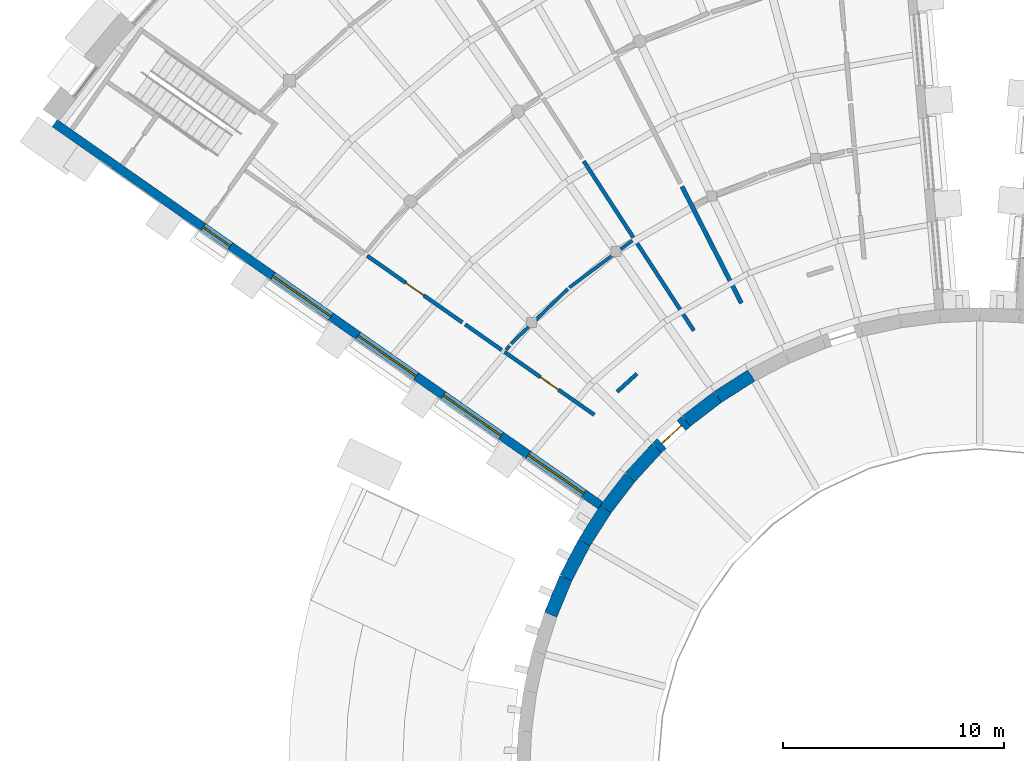
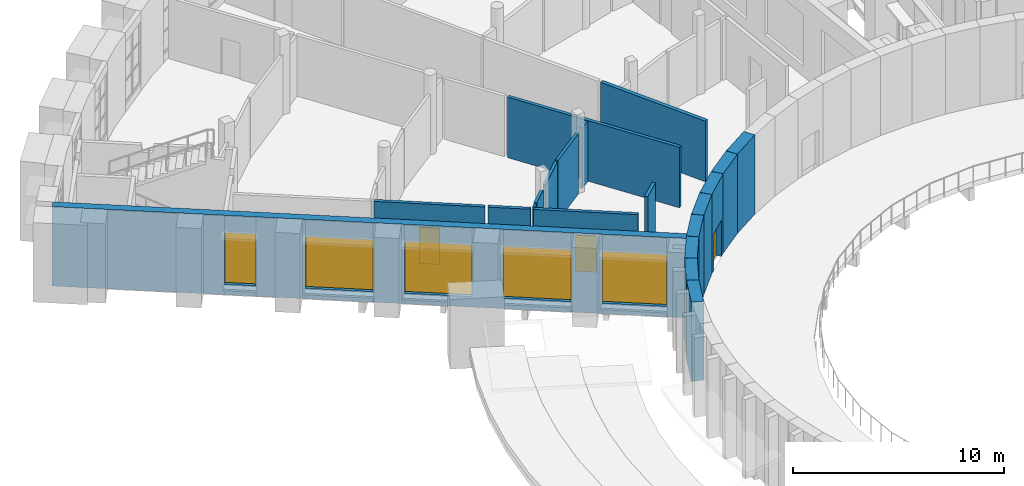
# One storey, part 26 of 50: 20 walls, 5 windows, 3 doors, 8 openings.
"""IFC4 building model written with IfcOpenShell, lengths in metres."""

import ifcopenshell
import ifcopenshell.guid

model = None  # the IFC model being written
_history = None  # IfcOwnerHistory: only IFC2X3 demands one
_inside = {}  # id of a spatial element -> (the spatial element, [elements in it])
_under = {}  # id of a project, library or spatial element -> (it, [spatial elements below it])
_declared = {}  # id of a project -> (the project, [libraries it declares])
_typed = {}  # id of a type object -> (the type object, [elements of that type])
_made_of = {}  # id of a material, layer set ... -> (it, [elements and type objects made of it])


def new_model(schema):
    """Start an empty IFC model of exactly this schema.

    Asked for "IFC4X3", IfcOpenShell would pick the latest addendum, in which some entities
    have other attributes; the version numbers below select the first issue.
    IFC2X3 requires an IfcOwnerHistory on every rooted entity: one is made here for all.
    """
    global model, _history
    if schema == "IFC4X3":
        model = ifcopenshell.file(schema_version=(4, 3, 0, 0))
    else:
        model = ifcopenshell.file(schema=schema)
    _inside.clear()
    _under.clear()
    _declared.clear()
    _typed.clear()
    _made_of.clear()
    _history = None
    if model.schema == "IFC2X3":
        org = make("IfcOrganization", Name="unknown")
        user = make(
            "IfcPersonAndOrganization",
            ThePerson=make("IfcPerson", FamilyName="unknown"),
            TheOrganization=org,
        )
        app = make(
            "IfcApplication",
            ApplicationDeveloper=org,
            Version="unknown",
            ApplicationFullName="unknown",
            ApplicationIdentifier="unknown",
        )
        _history = make(
            "IfcOwnerHistory",
            OwningUser=user,
            OwningApplication=app,
            ChangeAction="ADDED",
            CreationDate=0,
        )
    return model


def make(cls, **values):
    """One entity of the class cls with the attributes given. An attribute that is None is left unset."""
    return model.create_entity(
        cls, **{name: value for name, value in values.items() if value is not None}
    )


def rooted(cls, **values):
    """An entity with a GlobalId (a new one), such as an element, a storey or a relation."""
    return make(cls, GlobalId=ifcopenshell.guid.new(), OwnerHistory=_history, **values)


def si_unit(unit_type, name, prefix=None):
    """IfcSIUnit, for example si_unit("LENGTHUNIT", "METRE", prefix="MILLI")."""
    return make("IfcSIUnit", UnitType=unit_type, Prefix=prefix, Name=name)


def assignment(units):
    """IfcUnitAssignment: the units of a project."""
    return None if units is None else make("IfcUnitAssignment", Units=units)


def point(xyz):
    """IfcCartesianPoint."""
    return None if xyz is None else make("IfcCartesianPoint", Coordinates=xyz)


def direction(xyz):
    """IfcDirection."""
    return None if xyz is None else make("IfcDirection", DirectionRatios=xyz)


def frame(location, z_axis=None, x_axis=None):
    """IfcAxis2Placement3D, a coordinate frame: its origin and axes. An axis left out is left unset."""
    return make(
        "IfcAxis2Placement3D",
        Location=point(location),
        Axis=direction(z_axis),
        RefDirection=direction(x_axis),
    )


def frame_2d(location, x_axis=None):
    """IfcAxis2Placement2D, a coordinate frame in the plane: its origin and x axis."""
    return make(
        "IfcAxis2Placement2D", Location=point(location), RefDirection=direction(x_axis)
    )


def origin():
    """The frame at (0, 0, 0) with its axes left unset."""
    return frame((0.0, 0.0, 0.0))


def place(relative_to, where):
    """IfcLocalPlacement: puts the frame where relative to a parent placement (None: the world)."""
    return make(
        "IfcLocalPlacement", PlacementRelTo=relative_to, RelativePlacement=where
    )


def context(
    kind, dimensions, precision=None, world=None, true_north=None, identifier=None
):
    """IfcGeometricRepresentationContext, for example the 3D "Model" context."""
    return make(
        "IfcGeometricRepresentationContext",
        ContextIdentifier=identifier,
        ContextType=kind,
        CoordinateSpaceDimension=dimensions,
        Precision=precision,
        WorldCoordinateSystem=world,
        TrueNorth=true_north,
    )


def subcontext(parent, identifier, kind, view, scale=None):
    """IfcGeometricRepresentationSubContext, for example "Body" below "Model"."""
    return make(
        "IfcGeometricRepresentationSubContext",
        ContextIdentifier=identifier,
        ContextType=kind,
        ParentContext=parent,
        TargetScale=scale,
        TargetView=view,
    )


def project(units=None, contexts=None):
    """IfcProject with its units and contexts."""
    return rooted(
        "IfcProject",
        Name="project",
        RepresentationContexts=contexts,
        UnitsInContext=assignment(units),
    )


def spatial(cls, under=None, at=None, **own):
    """A site, building, storey or space (cls), placed at a placement, below another one or the project."""
    s = rooted(cls, ObjectPlacement=at, **own)
    if under is not None:
        _under.setdefault(under.id(), (under, []))[1].append(s)
    return s


def profile(cls, at=None, kind="AREA", **sizes):
    """A parametric profile (cls). Its sizes go by their IFC names, for example OverallWidth=200.0."""
    return make(cls, ProfileType=kind, Position=at, **sizes)


def rectangle(**sizes):
    """IfcRectangleProfileDef."""
    return profile("IfcRectangleProfileDef", **sizes)


def extrude(swept, where, along, depth):
    """IfcExtrudedAreaSolid: the profile swept, set in the frame where, extruded along a direction by depth."""
    return make(
        "IfcExtrudedAreaSolid",
        SweptArea=swept,
        Position=where,
        ExtrudedDirection=direction(along),
        Depth=depth,
    )


def shape(context_of_items, identifier, shape_type, items):
    """IfcShapeRepresentation: the items that make up one representation, for example the "Body"."""
    return make(
        "IfcShapeRepresentation",
        ContextOfItems=context_of_items,
        RepresentationIdentifier=identifier,
        RepresentationType=shape_type,
        Items=items,
    )


def material(Name=None, Category=None):
    """IfcMaterial."""
    return make("IfcMaterial", Name=Name, Category=Category)


def layer(
    of_material, thickness, ventilated=None, Name=None, Category=None, Priority=None
):
    """IfcMaterialLayer: one layer of a wall or slab, of a material (None: an air gap)."""
    return make(
        "IfcMaterialLayer",
        Material=of_material,
        LayerThickness=thickness,
        IsVentilated=ventilated,
        Name=Name,
        Category=Category,
        Priority=Priority,
    )


def layer_set(layers, Name=None):
    """IfcMaterialLayerSet."""
    return make("IfcMaterialLayerSet", MaterialLayers=layers, LayerSetName=Name)


def made_of(thing, what):
    """Note that an element or type object is made of a material, layer set ...; save() writes the relation."""
    if what is not None:
        _made_of.setdefault(what.id(), (what, []))[1].append(thing)
    return thing


def type_object(cls, material=None, **own):
    """A type object (cls), such as IfcWallType, which elements share."""
    return made_of(rooted(cls, **own), material)


def element(
    cls,
    number,
    at=None,
    inside=None,
    cuts=None,
    type_object=None,
    material=None,
    context=None,
    identifier="Body",
    shape_type=None,
    held_by="IfcProductDefinitionShape",
    body=None,
    shapes=None,
    **own,
):
    """One element of the class cls, such as IfcWall. Its Tag is "e" and its number.

    at: its placement. inside: the storey or other place that contains it. cuts: it is an
    opening in that element (IfcRelVoidsElement). A single representation is given by context,
    identifier, shape_type and body (its items); several are given by shapes. held_by: the class
    of the entity that holds the representations. save() writes the other relations.
    """
    e = rooted(cls, Tag="e%d" % number, ObjectPlacement=at, **own)
    if body is not None:
        shapes = [shape(context, identifier, shape_type, body)]
    if shapes is not None:
        e.Representation = make(held_by, Representations=shapes)
    if inside is not None:
        _inside.setdefault(inside.id(), (inside, []))[1].append(e)
    if cuts is not None:
        rooted(
            "IfcRelVoidsElement", RelatingBuildingElement=cuts, RelatedOpeningElement=e
        )
    if type_object is not None:
        _typed.setdefault(type_object.id(), (type_object, []))[1].append(e)
    return made_of(e, material)


def fill(opening, filler):
    """IfcRelFillsElement: the door or window that sits in an opening."""
    return rooted(
        "IfcRelFillsElement",
        RelatingOpeningElement=opening,
        RelatedBuildingElement=filler,
    )


def aggregate(whole, parts):
    """IfcRelAggregates: a whole, such as a stair, and the parts it consists of."""
    return rooted("IfcRelAggregates", RelatingObject=whole, RelatedObjects=parts)


def save(model, path):
    """Write the relations noted so far, then the file.

    IfcRelAggregates (storeys below a building ...), IfcRelContainedInSpatialStructure (elements
    in a storey), IfcRelDefinesByType, IfcRelAssociatesMaterial and IfcRelDeclares: one each for
    every whole, place, type object, material and project.
    """
    for whole, parts in _under.values():
        aggregate(whole, parts)
    for where, things in _inside.values():
        rooted(
            "IfcRelContainedInSpatialStructure",
            RelatedElements=things,
            RelatingStructure=where,
        )
    for kind, things in _typed.values():
        rooted("IfcRelDefinesByType", RelatedObjects=things, RelatingType=kind)
    for what, things in _made_of.values():
        rooted("IfcRelAssociatesMaterial", RelatedObjects=things, RelatingMaterial=what)
    for by, libraries in _declared.values():
        rooted("IfcRelDeclares", RelatingContext=by, RelatedDefinitions=libraries)
    model.write(path)


model = new_model("IFC4")

# Units and contexts
model_context = context("Model", 3, precision=1e-05, world=origin(), true_north=direction((0.0, 1.0)))
body_context = subcontext(model_context, "Body", "Model", "MODEL_VIEW")
ifc_project = project(units=[si_unit("LENGTHUNIT", "METRE"), si_unit("AREAUNIT", "SQUARE_METRE"), si_unit("VOLUMEUNIT", "CUBIC_METRE"), si_unit("PLANEANGLEUNIT", "RADIAN"), si_unit("MASSUNIT", "GRAM", prefix="KILO")], contexts=[model_context])

# Site, building, storey
site_placement = place(None, origin())
site = spatial("IfcSite", under=ifc_project, at=site_placement, CompositionType="ELEMENT")
building_placement = place(site_placement, origin())
building = spatial("IfcBuilding", under=site, at=building_placement, Name="Volute Hill Aquarium", CompositionType="ELEMENT")
storey_placement = place(building_placement, frame((0.0, 0.0, 9.199951171875)))
storey = spatial("IfcBuildingStorey", under=building, at=storey_placement, Name="L03", CompositionType="ELEMENT", Elevation=9.199951171875)

# Walls
ifc_material_1 = material(Name="Gypsum board on steel studs", Category="steel")
ifc_layer_1 = layer(ifc_material_1, 0.14990234375)
ifc_layer_set_1 = layer_set([ifc_layer_1], Name="Acoustic partition 150")
wall_type_1 = type_object("IfcWallType", Name="Acoustic partition 150", PredefinedType="PARTITIONING", material=ifc_layer_set_1)
wall_1_placement = place(storey_placement, frame((-18.60791015625, 21.916015625, 0.0), z_axis=(0.0, 0.0, 1.0), x_axis=(0.802120624252, 0.597162041786, 0.0)))
element("IfcWall", 1, at=wall_1_placement, inside=storey, type_object=wall_type_1, Name="pw/S6/L03/023", PredefinedType="PARTITIONING", context=body_context, shape_type="SweptSolid", body=[
    extrude(rectangle(XDim=2.439453125, YDim=0.14990234375, at=frame_2d((1.2197265625, 0.0))), origin(), (0.0, 0.0, 1.0), 3.510009765625),
])
wall_2_placement = place(storey_placement, frame((-20.12353515625, 20.452392578125, 0.0), z_axis=(0.0, 0.0, 1.0), x_axis=(0.719317397078, 0.694681568965, 0.0)))
element("IfcWall", 2, at=wall_2_placement, inside=storey, type_object=wall_type_1, Name="pw/S6/L03/027", PredefinedType="PARTITIONING", context=body_context, shape_type="SweptSolid", body=[
    extrude(rectangle(XDim=2.001708984375, YDim=0.14990234375, at=frame_2d((1.0009765625, 0.0))), origin(), (0.0, 0.0, 1.0), 3.510009765625),
])
wall_3_placement = place(storey_placement, frame((-21.253173828125, 19.361572265625, 0.0), z_axis=(0.0, 0.0, 1.0), x_axis=(0.719390021907, 0.69460636074, 0.0)))
element("IfcWall", 3, at=wall_3_placement, inside=storey, type_object=wall_type_1, Name="pw/S6/L03/042", PredefinedType="PARTITIONING", context=body_context, shape_type="SweptSolid", body=[
    extrude(rectangle(XDim=1.103271484375, YDim=0.14990234375, at=frame_2d((0.5517578125, 0.0))), origin(), (0.0, 0.0, 1.0), 3.510009765625),
])
wall_4_placement = place(storey_placement, frame((-16.27392578125, 23.653564453125, 0.0), z_axis=(0.0, 0.0, 1.0), x_axis=(0.802203924917, 0.597050134283, 0.0)))
element("IfcWall", 4, at=wall_4_placement, inside=storey, type_object=wall_type_1, Name="pw/S6/L03/045", PredefinedType="PARTITIONING", context=body_context, shape_type="SweptSolid", body=[
    extrude(rectangle(XDim=0.649658203125, YDim=0.14990234375, at=frame_2d((0.32470703125, 0.0))), origin(), (0.0, 0.0, 1.0), 3.510009765625),
])
wall_5_placement = place(storey_placement, frame((-21.4736328125, 19.085693359375, 0.0), z_axis=(0.0, 0.0, 1.0), x_axis=(0.62457509106, 0.78096475953, 0.0)))
element("IfcWall", 5, at=wall_5_placement, inside=storey, type_object=wall_type_1, Name="pw/S6/L03/048", PredefinedType="PARTITIONING", context=body_context, shape_type="SweptSolid", body=[
    extrude(rectangle(XDim=0.248291015625, YDim=0.14990234375, at=frame_2d((0.1240234375, 0.0))), origin(), (0.0, 0.0, 1.0), 3.510009765625),
])
ifc_material_2 = material(Name="Gypsum board on steel studs", Category="steel")
ifc_layer_2 = layer(ifc_material_2, 0.175048828125)
ifc_layer_set_2 = layer_set([ifc_layer_2], Name="Corridor partition 175 EI 60")
wall_type_2 = type_object("IfcWallType", Name="Corridor partition 175 EI 60", PredefinedType="PARTITIONING", material=ifc_layer_set_2)
wall_6_placement = place(storey_placement, frame((-12.96240234375, 19.96044921875, 0.0), z_axis=(0.0, 0.0, 1.0), x_axis=(-0.544645595922, 0.838666307206, 0.0)))
element("IfcWall", 6, at=wall_6_placement, inside=storey, type_object=wall_type_2, Name="pw/S6/L03/001", PredefinedType="PARTITIONING", context=body_context, shape_type="SweptSolid", body=[
    extrude(rectangle(XDim=9.16455078125, YDim=0.175048828125, at=frame_2d((4.582275390625, 0.0))), origin(), (0.0, 0.0, 1.0), 3.510009765625),
])

# Wall, opening, door
wall_7_placement = place(storey_placement, frame((-27.772705078125, 23.35302734375, 0.0), z_axis=(0.0, 0.0, 1.0), x_axis=(0.819151370893, -0.573577398059, 0.0)))
wall_7 = element("IfcWall", 7, at=wall_7_placement, inside=storey, type_object=wall_type_2, Name="pw/S6/L03/011", PredefinedType="PARTITIONING", context=body_context, shape_type="SweptSolid", body=[
    extrude(rectangle(XDim=5.26904296875, YDim=0.175048828125, at=frame_2d((2.634521484375, 0.0))), origin(), (0.0, 0.0, 1.0), 3.510009765625),
])
opening_1_placement = place(wall_7_placement, frame((2.134521484375, 0.0, 0.0)))
opening_1 = element("IfcOpeningElement", 8, at=opening_1_placement, cuts=wall_7, Name="Opening D6.03.05", PredefinedType="OPENING", context=body_context, shape_type="SweptSolid", body=[
    extrude(rectangle(XDim=1.0, YDim=2.10009765625, at=frame_2d((0.5, 1.050048828125))), frame((0.0, 0.097412109375, 0.0), z_axis=(0.0, -1.0, 0.0), x_axis=(1.0, 0.0, 0.0)), (0.0, 0.0, 1.0), 0.195068359375),
])
ifc_material_3 = material(Name="Timber, fire-rated", Category="wood")
door_type_1 = type_object("IfcDoorType", Name="Door 1000 x 2100 single EI1 30", OperationType="SINGLE_SWING_LEFT", PredefinedType="DOOR", material=ifc_material_3)
door_1_placement = place(opening_1_placement, origin())
door_1 = element("IfcDoor", 9, at=door_1_placement, inside=storey, type_object=door_type_1, Name="d/S6/L03/05", OperationType="SINGLE_SWING_LEFT", OverallHeight=2.10009765625, OverallWidth=1.0, PredefinedType="DOOR", context=body_context, shape_type="SweptSolid", body=[
    extrude(rectangle(XDim=1.0, YDim=2.10009765625, at=frame_2d((0.5, 1.050048828125))), frame((0.0, 0.02490234375, 0.0), z_axis=(0.0, -1.0, 0.0), x_axis=(1.0, 0.0, 0.0)), (0.0, 0.0, 1.0), 0.050048828125),
])
fill(opening_1, door_1)

wall_8_placement = place(storey_placement, frame((-21.547119140625, 18.993896484375, 0.0), z_axis=(0.0, 0.0, 1.0), x_axis=(0.819169654263, -0.57355128588, 0.0)))
wall_8 = element("IfcWall", 10, at=wall_8_placement, inside=storey, type_object=wall_type_2, Name="pw/S6/L03/013", PredefinedType="PARTITIONING", context=body_context, shape_type="SweptSolid", body=[
    extrude(rectangle(XDim=4.973876953125, YDim=0.175048828125, at=frame_2d((2.48681640625, 0.0))), origin(), (0.0, 0.0, 1.0), 3.510009765625),
])
opening_2_placement = place(wall_8_placement, frame((1.987060546875, 0.0, 0.0)))
opening_2 = element("IfcOpeningElement", 11, at=opening_2_placement, cuts=wall_8, Name="Opening D6.03.04", PredefinedType="OPENING", context=body_context, shape_type="SweptSolid", body=[
    extrude(rectangle(XDim=1.0, YDim=2.10009765625, at=frame_2d((0.5, 1.050048828125))), frame((0.0, 0.097412109375, 0.0), z_axis=(0.0, -1.0, 0.0), x_axis=(1.0, 0.0, 0.0)), (0.0, 0.0, 1.0), 0.195068359375),
])
door_2_placement = place(opening_2_placement, origin())
door_2 = element("IfcDoor", 12, at=door_2_placement, inside=storey, type_object=door_type_1, Name="d/S6/L03/04", OperationType="SINGLE_SWING_RIGHT", OverallHeight=2.10009765625, OverallWidth=1.0, PredefinedType="DOOR", context=body_context, shape_type="SweptSolid", body=[
    extrude(rectangle(XDim=1.0, YDim=2.10009765625, at=frame_2d((0.5, 1.050048828125))), frame((0.0, 0.02490234375, 0.0), z_axis=(0.0, -1.0, 0.0), x_axis=(1.0, 0.0, 0.0)), (0.0, 0.0, 1.0), 0.050048828125),
])
fill(opening_2, door_2)

# Walls
wall_9_placement = place(storey_placement, frame((-23.333740234375, 20.244873046875, 0.0), z_axis=(0.0, 0.0, 1.0), x_axis=(0.819164141, -0.573559160069, 0.0)))
element("IfcWall", 13, at=wall_9_placement, inside=storey, type_object=wall_type_2, Name="pw/S6/L03/025", PredefinedType="PARTITIONING", context=body_context, shape_type="SweptSolid", body=[
    extrude(rectangle(XDim=2.03076171875, YDim=0.175048828125, at=frame_2d((1.015380859375, 0.0))), origin(), (0.0, 0.0, 1.0), 3.510009765625),
])
wall_10_placement = place(storey_placement, frame((-16.438232421875, 17.187255859375, 0.0), z_axis=(0.0, 0.0, 1.0), x_axis=(0.737279656854, 0.675587675723, 0.0)))
element("IfcWall", 14, at=wall_10_placement, inside=storey, type_object=wall_type_2, Name="pw/S6/L03/039", PredefinedType="PARTITIONING", context=body_context, shape_type="SweptSolid", body=[
    extrude(rectangle(XDim=1.2109375, YDim=0.175048828125, at=frame_2d((0.60546875, 0.0))), origin(), (0.0, 0.0, 1.0), 3.510009765625),
])
ifc_material_4 = material(Name="Concrete C35/45", Category="concrete")
ifc_layer_3 = layer(ifc_material_4, 0.60009765625)
ifc_layer_set_3 = layer_set([ifc_layer_3], Name="Drum wall C35/45 600")
wall_type_3 = type_object("IfcWallType", Name="Drum wall C35/45 600", PredefinedType="SHEAR", material=ifc_layer_set_3)
wall_11_placement = place(storey_placement, frame((-10.35009765625, 17.9267578125, 0.0), z_axis=(0.0, 0.0, 1.0), x_axis=(-0.843332890803, -0.537391510251, 0.0)))
element("IfcWall", 15, at=wall_11_placement, inside=storey, type_object=wall_type_3, Name="sw/DR/L03/24", PredefinedType="SHEAR", context=body_context, shape_type="SweptSolid", body=[
    extrude(rectangle(XDim=1.805908203125, YDim=0.60009765625, at=frame_2d((0.90283203125, 0.0))), origin(), (0.0, 0.0, 1.0), 4.60009765625),
])
wall_12_placement = place(storey_placement, frame((-11.873046875, 16.956298828125, 0.0), z_axis=(0.0, 0.0, 1.0), x_axis=(-0.793397400526, -0.608704004289, 0.0)))
element("IfcWall", 16, at=wall_12_placement, inside=storey, type_object=wall_type_3, Name="sw/DR/L03/25", PredefinedType="SHEAR", context=body_context, shape_type="SweptSolid", body=[
    extrude(rectangle(XDim=1.8056640625, YDim=0.60009765625, at=frame_2d((0.90283203125, 0.0))), origin(), (0.0, 0.0, 1.0), 4.60009765625),
])

# Wall, opening, door
wall_13_placement = place(storey_placement, frame((-13.3056640625, 15.857177734375, 0.0), z_axis=(0.0, 0.0, 1.0), x_axis=(-0.737322466268, -0.675540954152, 0.0)))
wall_13 = element("IfcWall", 17, at=wall_13_placement, inside=storey, type_object=wall_type_3, Name="sw/DR/L03/26", PredefinedType="SHEAR", context=body_context, shape_type="SweptSolid", body=[
    extrude(rectangle(XDim=1.805908203125, YDim=0.60009765625, at=frame_2d((0.90283203125, 0.0))), origin(), (0.0, 0.0, 1.0), 4.60009765625),
])
opening_3_placement = place(wall_13_placement, frame((0.302978515625, 0.0, 0.0)))
opening_3 = element("IfcOpeningElement", 18, at=opening_3_placement, cuts=wall_13, Name="Opening D6.03.R2", PredefinedType="OPENING", context=body_context, shape_type="SweptSolid", body=[
    extrude(rectangle(XDim=1.199951171875, YDim=2.10009765625, at=frame_2d((0.60009765625, 1.050048828125))), frame((0.0, 0.31005859375, 0.0), z_axis=(0.0, -1.0, 0.0), x_axis=(1.0, 0.0, 0.0)), (0.0, 0.0, 1.0), 0.6201171875),
])
ifc_material_5 = material(Name="Timber", Category="wood")
door_type_2 = type_object("IfcDoorType", Name="Door 1200 x 2100 drum double", OperationType="DOUBLE_DOOR_SINGLE_SWING", PredefinedType="DOOR", material=ifc_material_5)
door_3_placement = place(opening_3_placement, origin())
door_3 = element("IfcDoor", 19, at=door_3_placement, inside=storey, type_object=door_type_2, Name="d/S6/L03/dr2", OperationType="SINGLE_SWING_LEFT", OverallHeight=2.10009765625, OverallWidth=1.199951171875, PredefinedType="DOOR", context=body_context, shape_type="SweptSolid", body=[
    extrude(rectangle(XDim=1.199951171875, YDim=2.10009765625, at=frame_2d((0.60009765625, 1.050048828125))), frame((0.0, 0.02490234375, 0.0), z_axis=(0.0, -1.0, 0.0), x_axis=(1.0, 0.0, 0.0)), (0.0, 0.0, 1.0), 0.050048828125),
])
fill(opening_3, door_3)

# Walls
wall_14_placement = place(storey_placement, frame((-14.63720703125, 14.63720703125, 0.0), z_axis=(0.0, 0.0, 1.0), x_axis=(-0.675540954152, -0.737322466268, 0.0)))
element("IfcWall", 20, at=wall_14_placement, inside=storey, type_object=wall_type_3, Name="sw/DR/L03/27", PredefinedType="SHEAR", context=body_context, shape_type="SweptSolid", body=[
    extrude(rectangle(XDim=1.805908203125, YDim=0.60009765625, at=frame_2d((0.90283203125, 0.0))), origin(), (0.0, 0.0, 1.0), 4.60009765625),
])
wall_15_placement = place(storey_placement, frame((-15.857177734375, 13.3056640625, 0.0), z_axis=(0.0, 0.0, 1.0), x_axis=(-0.608704004289, -0.793397400526, 0.0)))
element("IfcWall", 21, at=wall_15_placement, inside=storey, type_object=wall_type_3, Name="sw/DR/L03/28", PredefinedType="SHEAR", context=body_context, shape_type="SweptSolid", body=[
    extrude(rectangle(XDim=1.8056640625, YDim=0.60009765625, at=frame_2d((0.90283203125, 0.0))), origin(), (0.0, 0.0, 1.0), 4.60009765625),
])
for number, where, z_axis, x_axis, name in (
    (22, (-16.956298828125, 11.873046875, 0.0), (0.0, 0.0, 1.0), (-0.537391510251, -0.843332890803, 0.0), "sw/DR/L03/29"),
    (23, (-17.9267578125, 10.35009765625, 0.0), (0.0, 0.0, 1.0), (-0.461701764231, -0.887035219654, 0.0), "sw/DR/L03/30"),
    (24, (-18.760498046875, 8.748291015625, 0.0), (0.0, 0.0, 1.0), (-0.382713954298, -0.923866889322, 0.0), "sw/DR/L03/31"),
):
    element("IfcWall", number, at=place(storey_placement, frame(where, z_axis=z_axis, x_axis=x_axis)), inside=storey, type_object=wall_type_3, Name=name, PredefinedType="SHEAR", context=body_context, shape_type="SweptSolid", body=[
        extrude(rectangle(XDim=1.805908203125, YDim=0.60009765625, at=frame_2d((0.90283203125, 0.0))), origin(), (0.0, 0.0, 1.0), 4.60009765625),
    ])

# Wall, openings, windows
ifc_material_6 = material(Name="Concrete C35/45", Category="concrete")
ifc_layer_4 = layer(ifc_material_6, 0.39990234375)
ifc_layer_set_4 = layer_set([ifc_layer_4], Name="End wall 400 C35/45")
wall_type_4 = type_object("IfcWallType", Name="End wall 400 C35/45", PredefinedType="SHEAR", material=ifc_layer_set_4)
wall_16_placement = place(storey_placement, frame((-17.120361328125, 11.98779296875, 0.0), z_axis=(0.0, 0.0, 1.0), x_axis=(-0.81915166255, 0.57357698153, 0.0)))
wall_16 = element("IfcWall", 25, at=wall_16_placement, inside=storey, type_object=wall_type_4, Name="sw/S6/L03/endB", PredefinedType="SHEAR", context=body_context, shape_type="SweptSolid", body=[
    extrude(rectangle(XDim=30.300048828125, YDim=0.39990234375, at=frame_2d((15.14990234375, 0.0))), origin(), (0.0, 0.0, 1.0), 4.60009765625),
])
opening_4_placement = place(wall_16_placement, frame((1.02001953125, 0.0, 0.60009765625)))
opening_4 = element("IfcOpeningElement", 26, at=opening_4_placement, cuts=wall_16, Name="Opening W17", PredefinedType="OPENING", context=body_context, shape_type="SweptSolid", body=[
    extrude(rectangle(XDim=3.063232421875, YDim=3.0, at=frame_2d((1.53173828125, 1.5))), frame((0.0, 0.2099609375, 0.0), z_axis=(0.0, -1.0, 0.0), x_axis=(1.0, 0.0, 0.0)), (0.0, 0.0, 1.0), 0.419921875),
])
opening_5_placement = place(wall_16_placement, frame((5.583251953125, 0.0, 0.60009765625)))
opening_5 = element("IfcOpeningElement", 27, at=opening_5_placement, cuts=wall_16, Name="Opening W18", PredefinedType="OPENING", context=body_context, shape_type="SweptSolid", body=[
    extrude(rectangle(XDim=3.21337890625, YDim=3.0, at=frame_2d((1.606689453125, 1.5))), frame((0.0, 0.2099609375, 0.0), z_axis=(0.0, -1.0, 0.0), x_axis=(1.0, 0.0, 0.0)), (0.0, 0.0, 1.0), 0.419921875),
])
opening_6_placement = place(wall_16_placement, frame((10.296630859375, 0.0, 0.60009765625)))
opening_6 = element("IfcOpeningElement", 28, at=opening_6_placement, cuts=wall_16, Name="Opening W18", PredefinedType="OPENING", context=body_context, shape_type="SweptSolid", body=[
    extrude(rectangle(XDim=3.21337890625, YDim=3.0, at=frame_2d((1.606689453125, 1.5))), frame((0.0, 0.2099609375, 0.0), z_axis=(0.0, -1.0, 0.0), x_axis=(1.0, 0.0, 0.0)), (0.0, 0.0, 1.0), 0.419921875),
])
opening_7_placement = place(wall_16_placement, frame((15.010009765625, 0.0, 0.60009765625)))
opening_7 = element("IfcOpeningElement", 29, at=opening_7_placement, cuts=wall_16, Name="Opening W18", PredefinedType="OPENING", context=body_context, shape_type="SweptSolid", body=[
    extrude(rectangle(XDim=3.21337890625, YDim=3.0, at=frame_2d((1.606689453125, 1.5))), frame((0.0, 0.2099609375, 0.0), z_axis=(0.0, -1.0, 0.0), x_axis=(1.0, 0.0, 0.0)), (0.0, 0.0, 1.0), 0.419921875),
])
opening_8_placement = place(wall_16_placement, frame((20.580078125, 0.0, 0.60009765625)))
opening_8 = element("IfcOpeningElement", 30, at=opening_8_placement, cuts=wall_16, Name="Opening W19", PredefinedType="OPENING", context=body_context, shape_type="SweptSolid", body=[
    extrude(rectangle(XDim=1.5, YDim=3.0, at=frame_2d((0.75, 1.5))), frame((0.0, 0.2099609375, 0.0), z_axis=(0.0, -1.0, 0.0), x_axis=(1.0, 0.0, 0.0)), (0.0, 0.0, 1.0), 0.419921875),
])
ifc_material_7 = material(Name="Aluminium and glass", Category="aluminium")
window_type_1 = type_object("IfcWindowType", Name="End wall window 1500x3000", PartitioningType="SINGLE_PANEL", PredefinedType="WINDOW", material=ifc_material_7)
window_1_placement = place(opening_8_placement, origin())
window_1 = element("IfcWindow", 31, at=window_1_placement, inside=storey, type_object=window_type_1, Name="End wall window S6B L03 5.1", OverallHeight=3.0, OverallWidth=1.5, PartitioningType="SINGLE_PANEL", PredefinedType="WINDOW", context=body_context, shape_type="SweptSolid", body=[
    extrude(rectangle(XDim=1.5, YDim=3.0, at=frame_2d((0.75, 1.5))), frame((0.0, 0.030029296875, 0.0), z_axis=(0.0, -1.0, 0.0), x_axis=(1.0, 0.0, 0.0)), (0.0, 0.0, 1.0), 0.06005859375),
])
fill(opening_8, window_1)
ifc_material_8 = material(Name="Aluminium and glass", Category="aluminium")
window_type_2 = type_object("IfcWindowType", Name="End wall window 3063x3000", PartitioningType="SINGLE_PANEL", PredefinedType="WINDOW", material=ifc_material_8)
window_2_placement = place(opening_4_placement, origin())
window_2 = element("IfcWindow", 32, at=window_2_placement, inside=storey, type_object=window_type_2, Name="End wall window S6B L03 1.1", OverallHeight=3.0, OverallWidth=3.063232421875, PartitioningType="SINGLE_PANEL", PredefinedType="WINDOW", context=body_context, shape_type="SweptSolid", body=[
    extrude(rectangle(XDim=3.063232421875, YDim=3.0, at=frame_2d((1.53173828125, 1.5))), frame((0.0, 0.030029296875, 0.0), z_axis=(0.0, -1.0, 0.0), x_axis=(1.0, 0.0, 0.0)), (0.0, 0.0, 1.0), 0.06005859375),
])
fill(opening_4, window_2)
ifc_material_9 = material(Name="Aluminium and glass", Category="aluminium")
window_type_3 = type_object("IfcWindowType", Name="End wall window 3213x3000", PartitioningType="SINGLE_PANEL", PredefinedType="WINDOW", material=ifc_material_9)
window_3_placement = place(opening_5_placement, origin())
window_3 = element("IfcWindow", 33, at=window_3_placement, inside=storey, type_object=window_type_3, Name="End wall window S6B L03 2.1", OverallHeight=3.0, OverallWidth=3.21337890625, PartitioningType="SINGLE_PANEL", PredefinedType="WINDOW", context=body_context, shape_type="SweptSolid", body=[
    extrude(rectangle(XDim=3.21337890625, YDim=3.0, at=frame_2d((1.606689453125, 1.5))), frame((0.0, 0.030029296875, 0.0), z_axis=(0.0, -1.0, 0.0), x_axis=(1.0, 0.0, 0.0)), (0.0, 0.0, 1.0), 0.06005859375),
])
fill(opening_5, window_3)
window_4_placement = place(opening_6_placement, origin())
window_4 = element("IfcWindow", 34, at=window_4_placement, inside=storey, type_object=window_type_3, Name="End wall window S6B L03 3.1", OverallHeight=3.0, OverallWidth=3.21337890625, PartitioningType="SINGLE_PANEL", PredefinedType="WINDOW", context=body_context, shape_type="SweptSolid", body=[
    extrude(rectangle(XDim=3.21337890625, YDim=3.0, at=frame_2d((1.606689453125, 1.5))), frame((0.0, 0.030029296875, 0.0), z_axis=(0.0, -1.0, 0.0), x_axis=(1.0, 0.0, 0.0)), (0.0, 0.0, 1.0), 0.06005859375),
])
fill(opening_6, window_4)
window_5_placement = place(opening_7_placement, origin())
window_5 = element("IfcWindow", 35, at=window_5_placement, inside=storey, type_object=window_type_3, Name="End wall window S6B L03 4.1", OverallHeight=3.0, OverallWidth=3.21337890625, PartitioningType="SINGLE_PANEL", PredefinedType="WINDOW", context=body_context, shape_type="SweptSolid", body=[
    extrude(rectangle(XDim=3.21337890625, YDim=3.0, at=frame_2d((1.606689453125, 1.5))), frame((0.0, 0.030029296875, 0.0), z_axis=(0.0, -1.0, 0.0), x_axis=(1.0, 0.0, 0.0)), (0.0, 0.0, 1.0), 0.06005859375),
])
fill(opening_7, window_5)

# Wall
ifc_material_10 = material(Name="Masonry blockwork", Category="masonry")
ifc_layer_5 = layer(ifc_material_10, 0.199951171875)
ifc_layer_set_5 = layer_set([ifc_layer_5], Name="Fire partition 200 EI 60")
wall_type_5 = type_object("IfcWallType", Name="Fire partition 200 EI 60", PredefinedType="PARTITIONING", material=ifc_layer_set_5)
wall_17_placement = place(storey_placement, frame((-13.500732421875, 26.496826171875, 0.0), z_axis=(0.0, 0.0, 1.0), x_axis=(0.453992914648, -0.891005293727, 0.0)))
element("IfcWall", 36, at=wall_17_placement, inside=storey, type_object=wall_type_5, Name="pw/S6/L03/009", PredefinedType="PARTITIONING", context=body_context, shape_type="SweptSolid", body=[
    extrude(rectangle(XDim=5.93798828125, YDim=0.199951171875, at=frame_2d((2.968994140625, 0.0))), origin(), (0.0, 0.0, 1.0), 3.510009765625),
])

save(model, "model.ifc")
